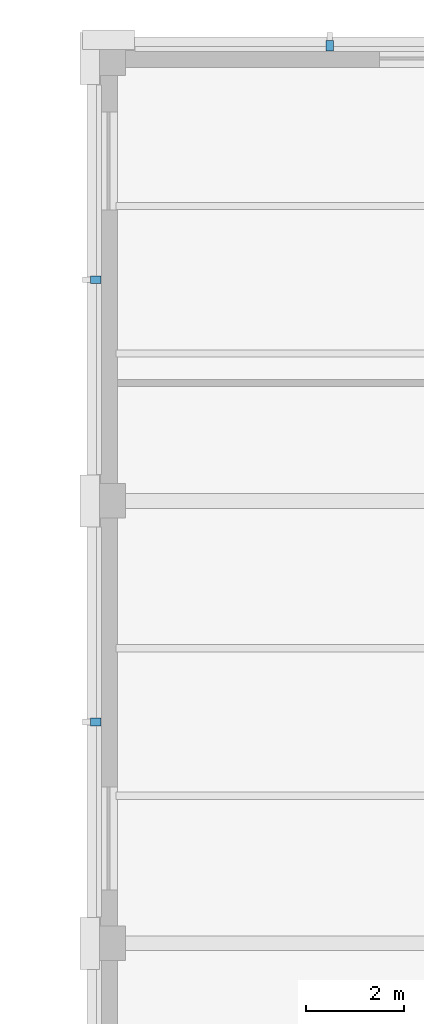
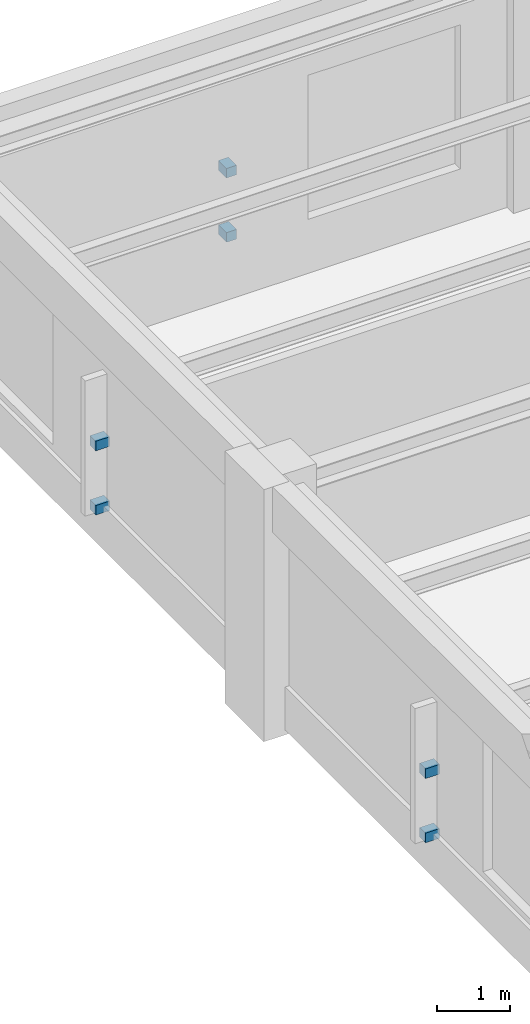
# One storey, part 99 of 108: 6 discrete accessories.
"""IFC4 building model written with IfcOpenShell, lengths in metres."""

from ifc_helpers import new_model, si_unit, direction, frame, origin, origin_2d, place, context, subcontext, project, spatial, rectangle, extrude, material, type_object, element, save


model = new_model("IFC4")

# Units and contexts
model_context = context("Model", 3, precision=1e-05, world=origin(), true_north=direction((0.0, 1.0)))
body_context = subcontext(model_context, "Body", "Model", "MODEL_VIEW")
ifc_project = project(units=[si_unit("LENGTHUNIT", "METRE"), si_unit("AREAUNIT", "SQUARE_METRE"), si_unit("VOLUMEUNIT", "CUBIC_METRE"), si_unit("PLANEANGLEUNIT", "RADIAN"), si_unit("MASSUNIT", "GRAM", prefix="KILO")], contexts=[model_context])

# Site, building, storey
site_placement = place(None, origin())
site = spatial("IfcSite", under=ifc_project, at=site_placement, CompositionType="ELEMENT")
building_placement = place(site_placement, origin())
building = spatial("IfcBuilding", under=site, at=building_placement, Name="Lykobir Media Centre", CompositionType="ELEMENT")
storey_placement = place(building_placement, frame((0.0, 0.0, 15.0)))
storey = spatial("IfcBuildingStorey", under=building, at=storey_placement, Name="L03", CompositionType="ELEMENT", Elevation=15.0)

# Discrete accessories
ifc_material = material(Name="Steel S355", Category="steel")
discrete_accessory_type = type_object("IfcDiscreteAccessoryType", Name="ACC-BRK", PredefinedType="BRACKET", material=ifc_material)
for number, where, z_axis, x_axis, name in (
    (1, (31.5, 108.260009765625, 0.7001953125), (0.0, 0.0, 1.0), (-1.0, 0.0, 0.0), "Cumba corbel bracket 61"),
    (2, (31.5, 108.260009765625, 1.77001953125), (0.0, 0.0, 1.0), (-1.0, 0.0, 0.0), "Shading fin bracket 62"),
    (3, (26.739990234375, 94.5, 0.7001953125), (0.0, 0.0, 1.0), (0.0, -1.0, 0.0), "Cumba corbel bracket 63"),
    (4, (26.739990234375, 94.5, 1.77001953125), (0.0, 0.0, 1.0), (0.0, -1.0, 0.0), "Shading fin bracket 64"),
    (5, (26.739990234375, 103.5, 0.7001953125), (0.0, 0.0, 1.0), (0.0, -1.0, 0.0), "Cumba corbel bracket 65"),
    (6, (26.739990234375, 103.5, 1.77001953125), (0.0, 0.0, 1.0), (0.0, -1.0, 0.0), "Shading fin bracket 66"),
):
    element("IfcDiscreteAccessory", number, at=place(storey_placement, frame(where, z_axis=z_axis, x_axis=x_axis)), inside=storey, type_object=discrete_accessory_type, Name=name, PredefinedType="BRACKET", context=body_context, shape_type="SweptSolid", body=[
        extrude(rectangle(XDim=0.159912109375, YDim=0.219970703125, at=origin_2d()), origin(), (0.0, 0.0, 1.0), 0.159912109375),
    ])

save(model, "model.ifc")
